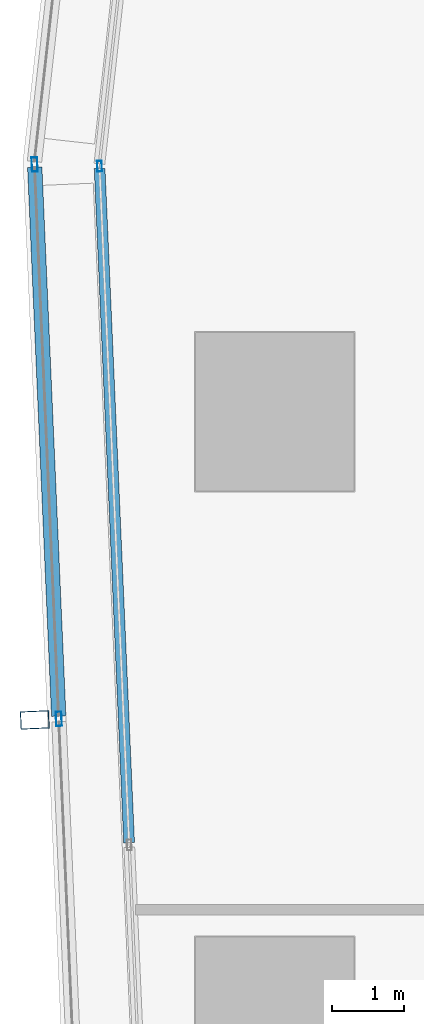
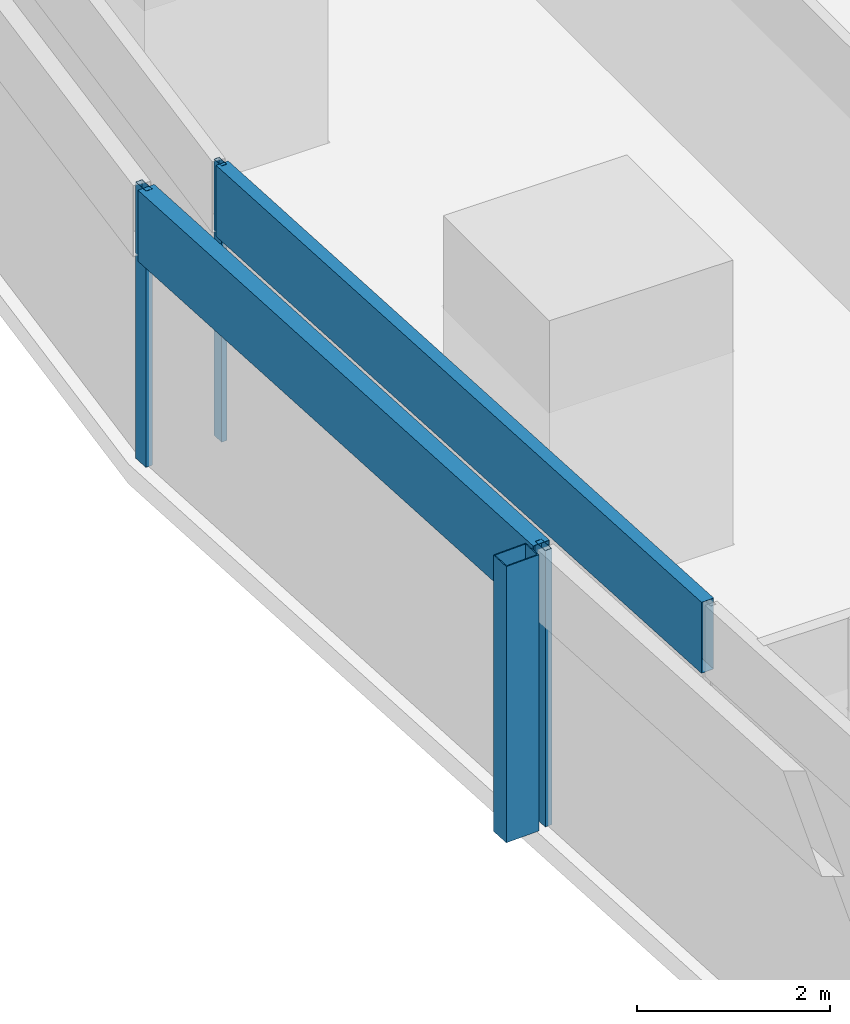
# One storey, part 14 of 45: 6 members, 2 elements without a shape of their own.
"""IFC4 building model written with IfcOpenShell, lengths in metres."""

from ifc_helpers import new_model, si_unit, direction, frame, origin, origin_2d, place, context, subcontext, project, spatial, hollow_rectangle, extrude, material, material_profile, profile_set, type_object, element, aggregate, save


model = new_model("IFC4")

# Units and contexts
model_context = context("Model", 3, precision=1e-05, world=origin(), true_north=direction((0.0, 1.0)))
body_context = subcontext(model_context, "Body", "Model", "MODEL_VIEW")
ifc_project = project(units=[si_unit("LENGTHUNIT", "METRE"), si_unit("AREAUNIT", "SQUARE_METRE"), si_unit("VOLUMEUNIT", "CUBIC_METRE"), si_unit("PLANEANGLEUNIT", "RADIAN"), si_unit("MASSUNIT", "GRAM", prefix="KILO")], contexts=[model_context])

# Site, building, storey
site_placement = place(None, origin())
site = spatial("IfcSite", under=ifc_project, at=site_placement, CompositionType="ELEMENT")
building_placement = place(site_placement, origin())
building = spatial("IfcBuilding", under=site, at=building_placement, Name="Rekha Terrace Tower", CompositionType="ELEMENT")
storey_placement = place(building_placement, frame((0.0, 0.0, 44.14990234375)))
storey = spatial("IfcBuildingStorey", under=building, at=storey_placement, Name="L10", CompositionType="ELEMENT", Elevation=44.14990234375)

# Curtain wall, member
ifc_material_1 = material(Name="Aluminium framing", Category="aluminium")
curtain_wall_type_1 = type_object("IfcCurtainWallType", Name="CW2 double skin outer glazing", PredefinedType="USERDEFINED", material=ifc_material_1)
curtain_wall_1_placement = place(storey_placement, origin())
curtain_wall_1 = element("IfcCurtainWall", 1, at=curtain_wall_1_placement, inside=storey, type_object=curtain_wall_type_1, Name="CW2 double skin outer glazing", ObjectType="DOUBLE SKIN OUTER GLAZING", PredefinedType="USERDEFINED")
ifc_material_2 = material(Name="Steel S355 with fluorocarbon finish", Category="steel")
ifc_material_profile_1 = material_profile(ifc_material_2, hollow_rectangle(XDim=0.25, YDim=0.39990234375, WallThickness=0.012451171875, at=origin_2d()), Name="RHS400x250x12.5")
ifc_profile_set_1 = profile_set([ifc_material_profile_1], Name="Steel S355 with fluorocarbon finish")
member_type_1 = type_object("IfcMemberType", Name="BL1 facade blade RHS 400 x 250", PredefinedType="USERDEFINED", material=ifc_profile_set_1)
member_1_placement = place(storey_placement, frame((5.064208984375, 37.715576171875, 0.0), z_axis=(0.0, 0.0, 1.0), x_axis=(0.04368215933, -0.999045478923, 0.0)))
member_1 = element("IfcMember", 2, at=member_1_placement, type_object=member_type_1, Name="Facade blade", ObjectType="FACADE BLADE", PredefinedType="USERDEFINED", context=body_context, shape_type="SweptSolid", body=[
    extrude(hollow_rectangle(XDim=0.25, YDim=0.39990234375, WallThickness=0.012451171875, at=origin_2d()), origin(), (0.0, 0.0, 1.0), 3.5),
])

# Curtain wall, members
curtain_wall_type_2 = type_object("IfcCurtainWallType", Name="CW1 double skin inner glazing", PredefinedType="USERDEFINED", material=ifc_material_1)
curtain_wall_2_placement = place(storey_placement, origin())
curtain_wall_2 = element("IfcCurtainWall", 3, at=curtain_wall_2_placement, inside=storey, type_object=curtain_wall_type_2, Name="CW1 double skin inner glazing", ObjectType="DOUBLE SKIN INNER GLAZING", PredefinedType="USERDEFINED")
ifc_material_3 = material(Name="Aluminium mullion section", Category="aluminium")
ifc_material_profile_2 = material_profile(ifc_material_3, hollow_rectangle(XDim=0.06494140625, YDim=0.14990234375, WallThickness=0.00390625, at=origin_2d()), Name="AL RHS 65x150")
ifc_profile_set_2 = profile_set([ifc_material_profile_2], Name="Aluminium mullion section")
member_type_2 = type_object("IfcMemberType", Name="CW1 mullion RHS 65 x 150", PredefinedType="MULLION", material=ifc_profile_set_2)
member_2_placement = place(storey_placement, frame((5.964111328125, 45.4111328125, 0.0), z_axis=(0.0, 0.0, 1.0), x_axis=(0.999045462133, 0.043682543337, 0.0)))
member_2 = element("IfcMember", 4, at=member_2_placement, type_object=member_type_2, Name="CW1 mullion 1", PredefinedType="MULLION", context=body_context, shape_type="SweptSolid", body=[
    extrude(hollow_rectangle(XDim=0.06494140625, YDim=0.14990234375, WallThickness=0.00390625, at=origin_2d()), origin(), (0.0, 0.0, 1.0), 3.5),
])
ifc_material_4 = material(Name="Insulated aluminium spandrel box", Category="aluminium")
ifc_material_profile_3 = material_profile(ifc_material_4, hollow_rectangle(XDim=0.14990234375, YDim=0.89990234375, WallThickness=0.0029296875, at=origin_2d()), Name="AL SPANDREL BOX 150x900")
ifc_profile_set_3 = profile_set([ifc_material_profile_3], Name="Insulated aluminium spandrel box")
member_type_3 = type_object("IfcMemberType", Name="CW1 spandrel transom 150 x 900", PredefinedType="USERDEFINED", material=ifc_profile_set_3)
member_3_placement = place(storey_placement, frame((5.96533203125, 45.378662109375, 3.050048828125), z_axis=(0.043689187094, -0.999045171617, 0.0), x_axis=(0.999045171617, 0.043689187094, 0.0)))
member_3 = element("IfcMember", 5, at=member_3_placement, type_object=member_type_3, Name="CW1 spandrel transom 1", ObjectType="TRANSOM", PredefinedType="USERDEFINED", context=body_context, shape_type="SweptSolid", body=[
    extrude(hollow_rectangle(XDim=0.14990234375, YDim=0.89990234375, WallThickness=0.0029296875, at=origin_2d()), origin(), (0.0, 0.0, 1.0), 9.376953125),
])
aggregate(curtain_wall_2, [member_2, member_3])

# Member
ifc_material_profile_4 = material_profile(ifc_material_3, hollow_rectangle(XDim=0.080078125, YDim=0.199951171875, WallThickness=0.00390625, at=origin_2d()), Name="AL RHS 80x200")
ifc_profile_set_4 = profile_set([ifc_material_profile_4], Name="Aluminium mullion section")
member_type_4 = type_object("IfcMemberType", Name="CW2 mullion RHS 80 x 200", PredefinedType="MULLION", material=ifc_profile_set_4)
member_4_placement = place(storey_placement, frame((5.062255859375, 45.4345703125, 0.0), z_axis=(0.0, 0.0, 1.0), x_axis=(0.999045462131, 0.043682543372, 0.0)))
member_4 = element("IfcMember", 6, at=member_4_placement, type_object=member_type_4, Name="CW2 mullion 1", PredefinedType="MULLION", context=body_context, shape_type="SweptSolid", body=[
    extrude(hollow_rectangle(XDim=0.080078125, YDim=0.199951171875, WallThickness=0.00390625, at=origin_2d()), origin(), (0.0, 0.0, 1.0), 3.5),
])

member_5_placement = place(storey_placement, frame((5.39892578125, 37.730224609375, 0.0), z_axis=(0.0, 0.0, 1.0), x_axis=(0.999045462131, 0.043682543372, 0.0)))
member_5 = element("IfcMember", 7, at=member_5_placement, type_object=member_type_4, Name="CW2 mullion 2", PredefinedType="MULLION", context=body_context, shape_type="SweptSolid", body=[
    extrude(hollow_rectangle(XDim=0.080078125, YDim=0.199951171875, WallThickness=0.00390625, at=origin_2d()), origin(), (0.0, 0.0, 1.0), 3.5),
])

ifc_material_profile_5 = material_profile(ifc_material_4, hollow_rectangle(XDim=0.199951171875, YDim=0.89990234375, WallThickness=0.0029296875, at=origin_2d()), Name="AL SPANDREL BOX 200x900")
ifc_profile_set_5 = profile_set([ifc_material_profile_5], Name="Insulated aluminium spandrel box")
member_type_5 = type_object("IfcMemberType", Name="CW2 spandrel transom 200 x 900", PredefinedType="USERDEFINED", material=ifc_profile_set_5)
member_6_placement = place(storey_placement, frame((5.06396484375, 45.39453125, 3.050048828125), z_axis=(0.043666283256, -0.99904617296, 0.0), x_axis=(0.99904617296, 0.043666283256, 0.0)))
member_6 = element("IfcMember", 8, at=member_6_placement, type_object=member_type_5, Name="CW2 spandrel transom 1", ObjectType="TRANSOM", PredefinedType="USERDEFINED", context=body_context, shape_type="SweptSolid", body=[
    extrude(hollow_rectangle(XDim=0.199951171875, YDim=0.89990234375, WallThickness=0.0029296875, at=origin_2d()), origin(), (0.0, 0.0, 1.0), 7.6318359375),
])

aggregate(curtain_wall_1, [member_4, member_5, member_6, member_1])

save(model, "model.ifc")
